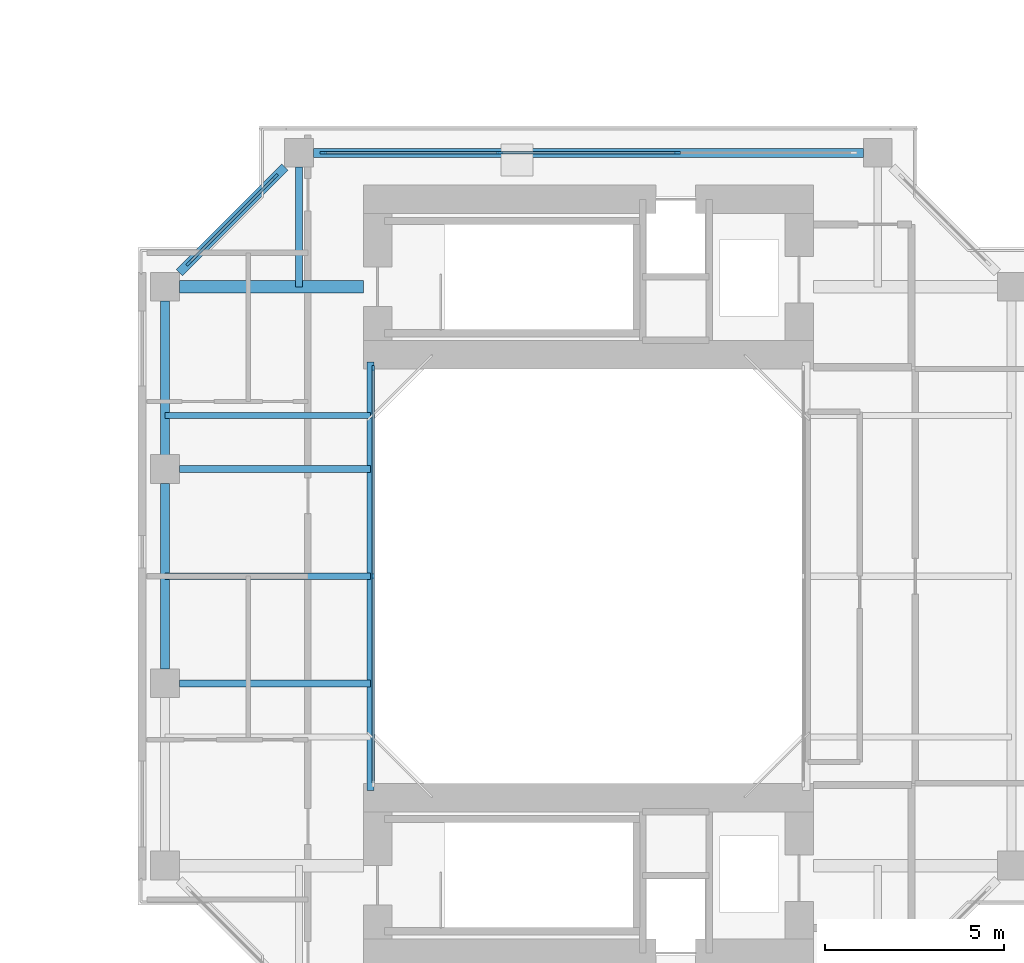
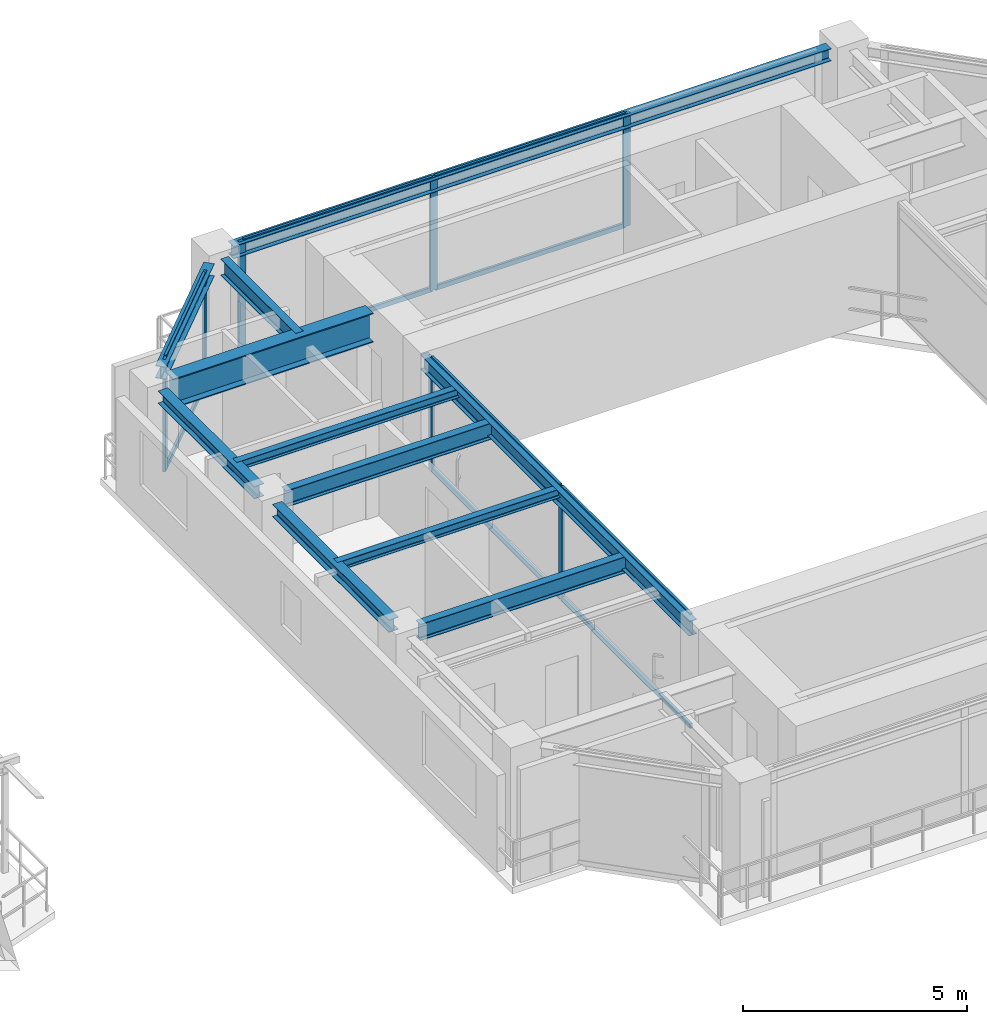
# One storey, part 9 of 24: 17 members, 11 beams, 3 elements without a shape of their own.
"""IFC4 building model written with IfcOpenShell, lengths in metres."""

from ifc_helpers import new_model, si_unit, direction, frame, origin, origin_2d, place, context, subcontext, project, spatial, rectangle, i_section, extrude, source, transform, mapped, material, layer, layer_set, material_profile, profile_set, type_object, element, aggregate, save


model = new_model("IFC4")

# Units and contexts
model_context = context("Model", 3, precision=1e-05, world=origin(), true_north=direction((0.0, 1.0)))
body_context = subcontext(model_context, "Body", "Model", "MODEL_VIEW")
ifc_project = project(units=[si_unit("LENGTHUNIT", "METRE"), si_unit("AREAUNIT", "SQUARE_METRE"), si_unit("VOLUMEUNIT", "CUBIC_METRE"), si_unit("PLANEANGLEUNIT", "RADIAN"), si_unit("MASSUNIT", "GRAM", prefix="KILO"), si_unit("THERMODYNAMICTEMPERATUREUNIT", "KELVIN"), si_unit("POWERUNIT", "WATT")], contexts=[model_context])

# Site, building, storey
site_placement = place(None, origin())
site = spatial("IfcSite", under=ifc_project, at=site_placement, CompositionType="ELEMENT")
building_placement = place(site_placement, origin())
building = spatial("IfcBuilding", under=site, at=building_placement, Name="Qiaomeng Ring Towers", CompositionType="ELEMENT")
storey_placement = place(building_placement, frame((0.0, 0.0, 110.0)))
storey = spatial("IfcBuildingStorey", under=building, at=storey_placement, Name="L31", CompositionType="ELEMENT", Elevation=110.0)

# Beams
ifc_material_1 = material(Name="Steel Q355B", Category="steel")
ifc_material_profile_1 = material_profile(ifc_material_1, i_section(OverallWidth=0.199951171875, OverallDepth=0.39990234375, WebThickness=0.008056640625, FlangeThickness=0.012939453125, FilletRadius=0.01611328125, at=origin_2d()), Name="HN 400x200x8x13")
ifc_profile_set_1 = profile_set([ifc_material_profile_1], Name="Steel Q355B")
beam_type_1 = type_object("IfcBeamType", Name="STR-BM-HN400", PredefinedType="SPANDREL", material=ifc_profile_set_1)
shared_shape_1 = source(origin(), body_context, "Body", "SweptSolid", [
    extrude(i_section(OverallWidth=0.199951171875, OverallDepth=0.39990234375, WebThickness=0.008056640625, FlangeThickness=0.012939453125, FilletRadius=0.01611328125, at=origin_2d()), origin(), (0.0, 0.0, 1.0), 12.0),
])
beam_1_placement = place(storey_placement, frame((54.39990234375, 17.0, 2.8701171875), z_axis=(0.0, 1.0, 0.0), x_axis=(-1.0, 0.0, 0.0)))
element("IfcBeam", 1, at=beam_1_placement, inside=storey, type_object=beam_type_1, Name="L31 beam STR-BM-L31-T2-WELL-W", PredefinedType="SPANDREL", context=body_context, shape_type="MappedRepresentation", body=[
    mapped(shared_shape_1, transform((0.0, 0.0, 0.0), x_axis=(1.0, 0.0, 0.0), y_axis=(0.0, 1.0, 0.0), z_axis=(0.0, 0.0, 1.0), scale=1.0)),
])
ifc_material_profile_2 = material_profile(ifc_material_1, i_section(OverallWidth=0.25, OverallDepth=0.340087890625, WebThickness=0.009033203125, FlangeThickness=0.013916015625, FilletRadius=0.02001953125, at=origin_2d()), Name="HM 340x250x9x14")
ifc_profile_set_2 = profile_set([ifc_material_profile_2], Name="Steel Q355B")
beam_type_2 = type_object("IfcBeamType", Name="STR-BM-HM340", PredefinedType="SPANDREL", material=ifc_profile_set_2)
shared_shape_2 = source(origin(), body_context, "Body", "SweptSolid", [
    extrude(i_section(OverallWidth=0.25, OverallDepth=0.340087890625, WebThickness=0.009033203125, FlangeThickness=0.013916015625, FilletRadius=0.02001953125, at=origin_2d()), origin(), (0.0, 0.0, 1.0), 15.40185546875),
])
beam_2_placement = place(storey_placement, frame((68.200927734375, 34.85009765625, 2.89990234375), z_axis=(-1.0, 0.0, 0.0), x_axis=(0.0, -1.0, 0.0)))
element("IfcBeam", 2, at=beam_2_placement, inside=storey, type_object=beam_type_2, Name="L31 beam STR-SP-L31-T2-N2-N1", PredefinedType="SPANDREL", context=body_context, shape_type="MappedRepresentation", body=[
    mapped(shared_shape_2, transform((0.0, 0.0, 0.0), x_axis=(1.0, 0.0, 0.0), y_axis=(0.0, 1.0, 0.0), z_axis=(0.0, 0.0, 1.0), scale=1.0)),
])
shared_shape_3 = source(origin(), body_context, "Body", "SweptSolid", [
    extrude(i_section(OverallWidth=0.25, OverallDepth=0.340087890625, WebThickness=0.009033203125, FlangeThickness=0.013916015625, FilletRadius=0.02001953125, at=origin_2d()), origin(), (0.0, 0.0, 1.0), 4.173828125),
])
beam_3_placement = place(storey_placement, frame((52.000732421875, 34.45068359375, 2.89990234375), z_axis=(-0.707106781187, -0.707106781187, 0.0), x_axis=(0.707106781187, -0.707106781187, 0.0)))
element("IfcBeam", 3, at=beam_3_placement, inside=storey, type_object=beam_type_2, Name="L31 beam STR-SP-L31-T2-N1-W4", PredefinedType="SPANDREL", context=body_context, shape_type="MappedRepresentation", body=[
    mapped(shared_shape_3, transform((0.0, 0.0, 0.0), x_axis=(1.0, 0.0, 0.0), y_axis=(0.0, 1.0, 0.0), z_axis=(0.0, 0.0, 1.0), scale=1.0)),
])
shared_shape_4 = source(origin(), body_context, "Body", "SweptSolid", [
    extrude(i_section(OverallWidth=0.25, OverallDepth=0.340087890625, WebThickness=0.009033203125, FlangeThickness=0.013916015625, FilletRadius=0.02001953125, at=origin_2d()), origin(), (0.0, 0.0, 1.0), 4.302001953125),
])
beam_4_placement = place(storey_placement, frame((48.64990234375, 30.700927734375, 2.89990234375), z_axis=(0.0, -1.0, 0.0), x_axis=(1.0, 0.0, 0.0)))
element("IfcBeam", 4, at=beam_4_placement, inside=storey, type_object=beam_type_2, Name="L31 beam STR-SP-L31-T2-W4-W3", PredefinedType="SPANDREL", context=body_context, shape_type="MappedRepresentation", body=[
    mapped(shared_shape_4, transform((0.0, 0.0, 0.0), x_axis=(1.0, 0.0, 0.0), y_axis=(0.0, 1.0, 0.0), z_axis=(0.0, 0.0, 1.0), scale=1.0)),
])
shared_shape_5 = source(origin(), body_context, "Body", "SweptSolid", [
    extrude(i_section(OverallWidth=0.25, OverallDepth=0.340087890625, WebThickness=0.009033203125, FlangeThickness=0.013916015625, FilletRadius=0.02001953125, at=origin_2d()), origin(), (0.0, 0.0, 1.0), 5.2021484375),
])
beam_5_placement = place(storey_placement, frame((48.64990234375, 25.60107421875, 2.89990234375), z_axis=(0.0, -1.0, 0.0), x_axis=(1.0, 0.0, 0.0)))
element("IfcBeam", 5, at=beam_5_placement, inside=storey, type_object=beam_type_2, Name="L31 beam STR-SP-L31-T2-W3-W2", PredefinedType="SPANDREL", context=body_context, shape_type="MappedRepresentation", body=[
    mapped(shared_shape_5, transform((0.0, 0.0, 0.0), x_axis=(1.0, 0.0, 0.0), y_axis=(0.0, 1.0, 0.0), z_axis=(0.0, 0.0, 1.0), scale=1.0)),
])
ifc_material_2 = material(Name="Steel Q390GJC", Category="steel")
ifc_material_profile_3 = material_profile(ifc_material_2, i_section(OverallWidth=0.35009765625, OverallDepth=0.800048828125, WebThickness=0.01611328125, FlangeThickness=0.028076171875, at=origin_2d()), Name="WH 800x350x16x28")
ifc_profile_set_3 = profile_set([ifc_material_profile_3], Name="Steel Q390GJC")
beam_type_3 = type_object("IfcBeamType", Name="STR-BM-WH800", PredefinedType="BEAM", material=ifc_profile_set_3)
shared_shape_6 = source(origin(), body_context, "Body", "SweptSolid", [
    extrude(i_section(OverallWidth=0.35009765625, OverallDepth=0.800048828125, WebThickness=0.01611328125, FlangeThickness=0.028076171875, at=origin_2d()), origin(), (0.0, 0.0, 1.0), 5.15087890625),
])
beam_6_placement = place(storey_placement, frame((49.049072265625, 31.10009765625, 2.669921875), z_axis=(1.0, 0.0, 0.0), x_axis=(0.0, 1.0, 0.0)))
element("IfcBeam", 6, at=beam_6_placement, inside=storey, type_object=beam_type_3, Name="L31 beam STR-BM-L31-T2-RAD-W4", PredefinedType="BEAM", context=body_context, shape_type="MappedRepresentation", body=[
    mapped(shared_shape_6, transform((0.0, 0.0, 0.0), x_axis=(1.0, 0.0, 0.0), y_axis=(0.0, 1.0, 0.0), z_axis=(0.0, 0.0, 1.0), scale=1.0)),
])
ifc_material_profile_4 = material_profile(ifc_material_1, i_section(OverallWidth=0.199951171875, OverallDepth=0.449951171875, WebThickness=0.009033203125, FlangeThickness=0.013916015625, FilletRadius=0.01806640625, at=origin_2d()), Name="HN 450x200x9x14")
ifc_profile_set_4 = profile_set([ifc_material_profile_4], Name="Steel Q355B")
beam_type_4 = type_object("IfcBeamType", Name="STR-BM-HN450", PredefinedType="SPANDREL", material=ifc_profile_set_4)
shared_shape_7 = source(origin(), body_context, "Body", "SweptSolid", [
    extrude(i_section(OverallWidth=0.199951171875, OverallDepth=0.449951171875, WebThickness=0.009033203125, FlangeThickness=0.013916015625, FilletRadius=0.01806640625, at=origin_2d()), origin(), (0.0, 0.0, 1.0), 5.350830078125),
])
for number, where, z_axis, x_axis, name in (
    (7, (49.049072265625, 20.0, 2.844970703125), (1.0, 0.0, 0.0), (0.0, 1.0, 0.0), "L31 beam STR-BM-L31-T2-RAD-W2"),
    (8, (49.049072265625, 26.0, 2.844970703125), (1.0, 0.0, 0.0), (0.0, 1.0, 0.0), "L31 beam STR-BM-L31-T2-RAD-W3"),
):
    element("IfcBeam", number, at=place(storey_placement, frame(where, z_axis=z_axis, x_axis=x_axis)), inside=storey, type_object=beam_type_4, Name=name, PredefinedType="SPANDREL", context=body_context, shape_type="MappedRepresentation", body=[
        mapped(shared_shape_7, transform((0.0, 0.0, 0.0), x_axis=(1.0, 0.0, 0.0), y_axis=(0.0, 1.0, 0.0), z_axis=(0.0, 0.0, 1.0), scale=1.0)),
    ])
shared_shape_8 = source(origin(), body_context, "Body", "SweptSolid", [
    extrude(i_section(OverallWidth=0.199951171875, OverallDepth=0.449951171875, WebThickness=0.009033203125, FlangeThickness=0.013916015625, FilletRadius=0.01806640625, at=origin_2d()), origin(), (0.0, 0.0, 1.0), 3.350830078125),
])
beam_7_placement = place(storey_placement, frame((52.39990234375, 34.450927734375, 2.844970703125), z_axis=(0.0, -1.0, 0.0), x_axis=(1.0, 0.0, 0.0)))
element("IfcBeam", 9, at=beam_7_placement, inside=storey, type_object=beam_type_4, Name="L31 beam STR-BM-L31-T2-RAD-N1", PredefinedType="SPANDREL", context=body_context, shape_type="MappedRepresentation", body=[
    mapped(shared_shape_8, transform((0.0, 0.0, 0.0), x_axis=(1.0, 0.0, 0.0), y_axis=(0.0, 1.0, 0.0), z_axis=(0.0, 0.0, 1.0), scale=1.0)),
])
ifc_material_profile_5 = material_profile(ifc_material_1, i_section(OverallWidth=0.175048828125, OverallDepth=0.243896484375, WebThickness=0.007080078125, FlangeThickness=0.010986328125, FilletRadius=0.01611328125, at=origin_2d()), Name="HM 244x175x7x11")
ifc_profile_set_5 = profile_set([ifc_material_profile_5], Name="Steel Q355B")
beam_type_5 = type_object("IfcBeamType", Name="STR-BM-HM244", PredefinedType="JOIST", material=ifc_profile_set_5)
shared_shape_9 = source(origin(), body_context, "Body", "SweptSolid", [
    extrude(i_section(OverallWidth=0.175048828125, OverallDepth=0.243896484375, WebThickness=0.007080078125, FlangeThickness=0.010986328125, FilletRadius=0.01611328125, at=origin_2d()), origin(), (0.0, 0.0, 1.0), 5.75),
])
for number, where, z_axis, x_axis, name in (
    (10, (48.64990234375, 23.0, 2.947998046875), (1.0, 0.0, 0.0), (0.0, 1.0, 0.0), "L31 beam STR-JST-L31-T2W-2"),
    (11, (48.64990234375, 27.5, 2.947998046875), (1.0, 0.0, 0.0), (0.0, 1.0, 0.0), "L31 beam STR-JST-L31-T2W-3"),
):
    element("IfcBeam", number, at=place(storey_placement, frame(where, z_axis=z_axis, x_axis=x_axis)), inside=storey, type_object=beam_type_5, Name=name, PredefinedType="JOIST", context=body_context, shape_type="MappedRepresentation", body=[
        mapped(shared_shape_9, transform((0.0, 0.0, 0.0), x_axis=(1.0, 0.0, 0.0), y_axis=(0.0, 1.0, 0.0), z_axis=(0.0, 0.0, 1.0), scale=1.0)),
    ])

# Curtain wall, members
ifc_material_3 = material(Name="Fluorocarbon dark-grey aluminium", Category="aluminium")
ifc_layer_1 = layer(ifc_material_3, 0.139892578125, Name="Fluorocarbon dark-grey aluminium")
ifc_layer_set_1 = layer_set([ifc_layer_1], Name="Fluorocarbon dark-grey aluminium")
curtain_wall_type_1 = type_object("IfcCurtainWallType", Name="ARC-CW-4", PredefinedType="NOTDEFINED", material=ifc_layer_set_1)
curtain_wall_1_placement = place(storey_placement, origin())
curtain_wall_1 = element("IfcCurtainWall", 12, at=curtain_wall_1_placement, inside=storey, type_object=curtain_wall_type_1, Name="L31 Curtain Wall CW4", PredefinedType="NOTDEFINED")
ifc_material_profile_6 = material_profile(ifc_material_3, rectangle(XDim=0.06494140625, YDim=0.159912109375, at=origin_2d()), Name="ALU MULL 65x160")
ifc_profile_set_6 = profile_set([ifc_material_profile_6], Name="Fluorocarbon dark-grey aluminium")
member_type_1 = type_object("IfcMemberType", Name="ARC-CWM-140", PredefinedType="MULLION", material=ifc_profile_set_6)
shared_shape_10 = source(origin(), body_context, "Body", "SweptSolid", [
    extrude(rectangle(XDim=0.06494140625, YDim=0.159912109375, at=origin_2d()), origin(), (0.0, 0.0, 1.0), 3.070068359375),
])
member_1_placement = place(storey_placement, frame((54.47998046875, 23.0, 0.0), z_axis=(0.0, 0.0, 1.0), x_axis=(-1.0, 0.0, 0.0)))
member_1 = element("IfcMember", 13, at=member_1_placement, type_object=member_type_1, Name="CW4 mullion 2", PredefinedType="MULLION", context=body_context, shape_type="MappedRepresentation", body=[
    mapped(shared_shape_10, transform((0.0, 0.0, 0.0), x_axis=(1.0, 0.0, 0.0), y_axis=(0.0, 1.0, 0.0), z_axis=(0.0, 0.0, 1.0), scale=1.0)),
])
member_2_placement = place(storey_placement, frame((54.47998046875, 28.8173828125, 0.0), z_axis=(0.0, 0.0, 1.0), x_axis=(-1.0, 0.0, 0.0)))
member_2 = element("IfcMember", 14, at=member_2_placement, type_object=member_type_1, Name="CW4 mullion 3", PredefinedType="MULLION", context=body_context, shape_type="MappedRepresentation", body=[
    mapped(shared_shape_10, transform((0.0, 0.0, 0.0), x_axis=(1.0, 0.0, 0.0), y_axis=(0.0, 1.0, 0.0), z_axis=(0.0, 0.0, 1.0), scale=1.0)),
])
ifc_material_profile_7 = material_profile(ifc_material_3, rectangle(XDim=0.06494140625, YDim=0.1298828125, at=origin_2d()), Name="ALU TRAN 65x130")
ifc_profile_set_7 = profile_set([ifc_material_profile_7], Name="Fluorocarbon dark-grey aluminium")
member_type_2 = type_object("IfcMemberType", Name="ARC-CWT-120", PredefinedType="USERDEFINED", material=ifc_profile_set_7)
shared_shape_11 = source(origin(), body_context, "Body", "SweptSolid", [
    extrude(rectangle(XDim=0.06494140625, YDim=0.1298828125, at=origin_2d()), origin(), (0.0, 0.0, 1.0), 5.75244140625),
])
member_3_placement = place(storey_placement, frame((54.47998046875, 17.215087890625, 0.032470703125), z_axis=(0.0, 1.0, 0.0), x_axis=(-1.0, 0.0, 0.0)))
member_3 = element("IfcMember", 15, at=member_3_placement, type_object=member_type_2, Name="CW4 transom 1.1", ObjectType="TRANSOM", PredefinedType="USERDEFINED", context=body_context, shape_type="MappedRepresentation", body=[
    mapped(shared_shape_11, transform((0.0, 0.0, 0.0), x_axis=(1.0, 0.0, 0.0), y_axis=(0.0, 1.0, 0.0), z_axis=(0.0, 0.0, 1.0), scale=1.0)),
])
member_4_placement = place(storey_placement, frame((54.47998046875, 17.215087890625, 3.03759765625), z_axis=(0.0, 1.0, 0.0), x_axis=(-1.0, 0.0, 0.0)))
member_4 = element("IfcMember", 16, at=member_4_placement, type_object=member_type_2, Name="CW4 transom 1.2", ObjectType="TRANSOM", PredefinedType="USERDEFINED", context=body_context, shape_type="MappedRepresentation", body=[
    mapped(shared_shape_11, transform((0.0, 0.0, 0.0), x_axis=(1.0, 0.0, 0.0), y_axis=(0.0, 1.0, 0.0), z_axis=(0.0, 0.0, 1.0), scale=1.0)),
])
member_5_placement = place(storey_placement, frame((54.47998046875, 23.032470703125, 0.032470703125), z_axis=(0.0, 1.0, 0.0), x_axis=(-1.0, 0.0, 0.0)))
member_5 = element("IfcMember", 17, at=member_5_placement, type_object=member_type_2, Name="CW4 transom 2.1", ObjectType="TRANSOM", PredefinedType="USERDEFINED", context=body_context, shape_type="MappedRepresentation", body=[
    mapped(shared_shape_11, transform((0.0, 0.0, 0.0), x_axis=(1.0, 0.0, 0.0), y_axis=(0.0, 1.0, 0.0), z_axis=(0.0, 0.0, 1.0), scale=1.0)),
])
member_6_placement = place(storey_placement, frame((54.47998046875, 23.032470703125, 3.03759765625), z_axis=(0.0, 1.0, 0.0), x_axis=(-1.0, 0.0, 0.0)))
member_6 = element("IfcMember", 18, at=member_6_placement, type_object=member_type_2, Name="CW4 transom 2.2", ObjectType="TRANSOM", PredefinedType="USERDEFINED", context=body_context, shape_type="MappedRepresentation", body=[
    mapped(shared_shape_11, transform((0.0, 0.0, 0.0), x_axis=(1.0, 0.0, 0.0), y_axis=(0.0, 1.0, 0.0), z_axis=(0.0, 0.0, 1.0), scale=1.0)),
])
aggregate(curtain_wall_1, [member_1, member_2, member_3, member_4, member_5, member_6])

ifc_layer_2 = layer(ifc_material_3, 0.14990234375, Name="Fluorocarbon dark-grey aluminium")
ifc_layer_set_2 = layer_set([ifc_layer_2], Name="Fluorocarbon dark-grey aluminium")
curtain_wall_type_2 = type_object("IfcCurtainWallType", Name="ARC-CW-5", PredefinedType="NOTDEFINED", material=ifc_layer_set_2)
curtain_wall_2_placement = place(storey_placement, origin())
curtain_wall_2 = element("IfcCurtainWall", 19, at=curtain_wall_2_placement, inside=storey, type_object=curtain_wall_type_2, Name="L31 Curtain Wall CW5", PredefinedType="NOTDEFINED")
ifc_material_profile_8 = material_profile(ifc_material_3, rectangle(XDim=0.070068359375, YDim=0.179931640625, at=origin_2d()), Name="ALU MULL 70x180")
ifc_profile_set_8 = profile_set([ifc_material_profile_8], Name="Fluorocarbon dark-grey aluminium")
member_type_3 = type_object("IfcMemberType", Name="ARC-CWM-160", PredefinedType="MULLION", material=ifc_profile_set_8)
shared_shape_12 = source(origin(), body_context, "Body", "SweptSolid", [
    extrude(rectangle(XDim=0.070068359375, YDim=0.179931640625, at=origin_2d()), origin(), (0.0, 0.0, 1.0), 3.070068359375),
])
member_7_placement = place(storey_placement, frame((53.074951171875, 34.85009765625, 0.0), z_axis=(0.0, 0.0, 1.0), x_axis=(0.0, 1.0, 0.0)))
member_7 = element("IfcMember", 20, at=member_7_placement, type_object=member_type_3, Name="CW5 mullion 1", PredefinedType="MULLION", context=body_context, shape_type="MappedRepresentation", body=[
    mapped(shared_shape_12, transform((0.0, 0.0, 0.0), x_axis=(1.0, 0.0, 0.0), y_axis=(0.0, 1.0, 0.0), z_axis=(0.0, 0.0, 1.0), scale=1.0)),
])
member_8_placement = place(storey_placement, frame((58.013427734375, 34.85009765625, 0.0), z_axis=(0.0, 0.0, 1.0), x_axis=(0.0, 1.0, 0.0)))
member_8 = element("IfcMember", 21, at=member_8_placement, type_object=member_type_3, Name="CW5 mullion 2", PredefinedType="MULLION", context=body_context, shape_type="MappedRepresentation", body=[
    mapped(shared_shape_12, transform((0.0, 0.0, 0.0), x_axis=(1.0, 0.0, 0.0), y_axis=(0.0, 1.0, 0.0), z_axis=(0.0, 0.0, 1.0), scale=1.0)),
])
member_9_placement = place(storey_placement, frame((62.986572265625, 34.85009765625, 0.0), z_axis=(0.0, 0.0, 1.0), x_axis=(0.0, 1.0, 0.0)))
member_9 = element("IfcMember", 22, at=member_9_placement, type_object=member_type_3, Name="CW5 mullion 3", PredefinedType="MULLION", context=body_context, shape_type="MappedRepresentation", body=[
    mapped(shared_shape_12, transform((0.0, 0.0, 0.0), x_axis=(1.0, 0.0, 0.0), y_axis=(0.0, 1.0, 0.0), z_axis=(0.0, 0.0, 1.0), scale=1.0)),
])

curtain_wall_3_placement = place(storey_placement, origin())
curtain_wall_3 = element("IfcCurtainWall", 23, at=curtain_wall_3_placement, inside=storey, type_object=curtain_wall_type_2, Name="L31 Curtain Wall CW5", PredefinedType="NOTDEFINED")
member_10_placement = place(storey_placement, frame((51.7353515625, 34.185302734375, 0.0), z_axis=(0.0, 0.0, 1.0), x_axis=(0.707106781187, -0.707106781187, 0.0)))
member_10 = element("IfcMember", 24, at=member_10_placement, type_object=member_type_3, Name="CW5 mullion 1", PredefinedType="MULLION", context=body_context, shape_type="MappedRepresentation", body=[
    mapped(shared_shape_12, transform((0.0, 0.0, 0.0), x_axis=(1.0, 0.0, 0.0), y_axis=(0.0, 1.0, 0.0), z_axis=(0.0, 0.0, 1.0), scale=1.0)),
])
member_11_placement = place(storey_placement, frame((49.314697265625, 31.7646484375, 0.0), z_axis=(0.0, 0.0, 1.0), x_axis=(0.707106781187, -0.707106781187, 0.0)))
member_11 = element("IfcMember", 25, at=member_11_placement, type_object=member_type_3, Name="CW5 mullion 2", PredefinedType="MULLION", context=body_context, shape_type="MappedRepresentation", body=[
    mapped(shared_shape_12, transform((0.0, 0.0, 0.0), x_axis=(1.0, 0.0, 0.0), y_axis=(0.0, 1.0, 0.0), z_axis=(0.0, 0.0, 1.0), scale=1.0)),
])

# Member
shared_shape_13 = source(origin(), body_context, "Body", "SweptSolid", [
    extrude(rectangle(XDim=0.06494140625, YDim=0.1298828125, at=origin_2d()), origin(), (0.0, 0.0, 1.0), 4.8681640625),
])
member_12_placement = place(storey_placement, frame((53.110107421875, 34.85009765625, 0.032470703125), z_axis=(1.0, 0.0, 0.0), x_axis=(0.0, 1.0, 0.0)))
member_12 = element("IfcMember", 26, at=member_12_placement, type_object=member_type_2, Name="CW5 transom 1.1", ObjectType="TRANSOM", PredefinedType="USERDEFINED", context=body_context, shape_type="MappedRepresentation", body=[
    mapped(shared_shape_13, transform((0.0, 0.0, 0.0), x_axis=(1.0, 0.0, 0.0), y_axis=(0.0, 1.0, 0.0), z_axis=(0.0, 0.0, 1.0), scale=1.0)),
])

member_13_placement = place(storey_placement, frame((53.110107421875, 34.85009765625, 3.03759765625), z_axis=(1.0, 0.0, 0.0), x_axis=(0.0, 1.0, 0.0)))
member_13 = element("IfcMember", 27, at=member_13_placement, type_object=member_type_2, Name="CW5 transom 1.2", ObjectType="TRANSOM", PredefinedType="USERDEFINED", context=body_context, shape_type="MappedRepresentation", body=[
    mapped(shared_shape_13, transform((0.0, 0.0, 0.0), x_axis=(1.0, 0.0, 0.0), y_axis=(0.0, 1.0, 0.0), z_axis=(0.0, 0.0, 1.0), scale=1.0)),
])

shared_shape_14 = source(origin(), body_context, "Body", "SweptSolid", [
    extrude(rectangle(XDim=0.06494140625, YDim=0.1298828125, at=origin_2d()), origin(), (0.0, 0.0, 1.0), 4.9033203125),
])
member_14_placement = place(storey_placement, frame((58.04833984375, 34.85009765625, 0.032470703125), z_axis=(1.0, 0.0, 0.0), x_axis=(0.0, 1.0, 0.0)))
member_14 = element("IfcMember", 28, at=member_14_placement, type_object=member_type_2, Name="CW5 transom 2.1", ObjectType="TRANSOM", PredefinedType="USERDEFINED", context=body_context, shape_type="MappedRepresentation", body=[
    mapped(shared_shape_14, transform((0.0, 0.0, 0.0), x_axis=(1.0, 0.0, 0.0), y_axis=(0.0, 1.0, 0.0), z_axis=(0.0, 0.0, 1.0), scale=1.0)),
])

member_15_placement = place(storey_placement, frame((58.04833984375, 34.85009765625, 3.03759765625), z_axis=(1.0, 0.0, 0.0), x_axis=(0.0, 1.0, 0.0)))
member_15 = element("IfcMember", 29, at=member_15_placement, type_object=member_type_2, Name="CW5 transom 2.2", ObjectType="TRANSOM", PredefinedType="USERDEFINED", context=body_context, shape_type="MappedRepresentation", body=[
    mapped(shared_shape_14, transform((0.0, 0.0, 0.0), x_axis=(1.0, 0.0, 0.0), y_axis=(0.0, 1.0, 0.0), z_axis=(0.0, 0.0, 1.0), scale=1.0)),
])

aggregate(curtain_wall_2, [member_7, member_8, member_9, member_12, member_13, member_14, member_15])

shared_shape_15 = source(origin(), body_context, "Body", "SweptSolid", [
    extrude(rectangle(XDim=0.06494140625, YDim=0.1298828125, at=origin_2d()), origin(), (0.0, 0.0, 1.0), 3.352783203125),
])
member_16_placement = place(storey_placement, frame((51.71044921875, 34.160400390625, 0.032470703125), z_axis=(-0.707106781187, -0.707106781187, 0.0), x_axis=(0.707106781187, -0.707106781187, 0.0)))
member_16 = element("IfcMember", 30, at=member_16_placement, type_object=member_type_2, Name="CW5 transom 1.1", ObjectType="TRANSOM", PredefinedType="USERDEFINED", context=body_context, shape_type="MappedRepresentation", body=[
    mapped(shared_shape_15, transform((0.0, 0.0, 0.0), x_axis=(1.0, 0.0, 0.0), y_axis=(0.0, 1.0, 0.0), z_axis=(0.0, 0.0, 1.0), scale=1.0)),
])

member_17_placement = place(storey_placement, frame((51.71044921875, 34.160400390625, 3.03759765625), z_axis=(-0.707106781187, -0.707106781187, 0.0), x_axis=(0.707106781187, -0.707106781187, 0.0)))
member_17 = element("IfcMember", 31, at=member_17_placement, type_object=member_type_2, Name="CW5 transom 1.2", ObjectType="TRANSOM", PredefinedType="USERDEFINED", context=body_context, shape_type="MappedRepresentation", body=[
    mapped(shared_shape_15, transform((0.0, 0.0, 0.0), x_axis=(1.0, 0.0, 0.0), y_axis=(0.0, 1.0, 0.0), z_axis=(0.0, 0.0, 1.0), scale=1.0)),
])

aggregate(curtain_wall_3, [member_10, member_11, member_16, member_17])

save(model, "model.ifc")
